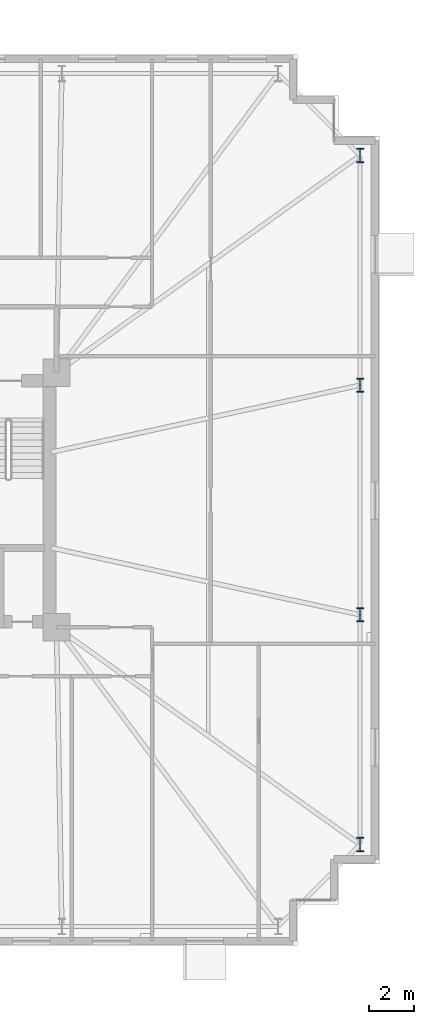
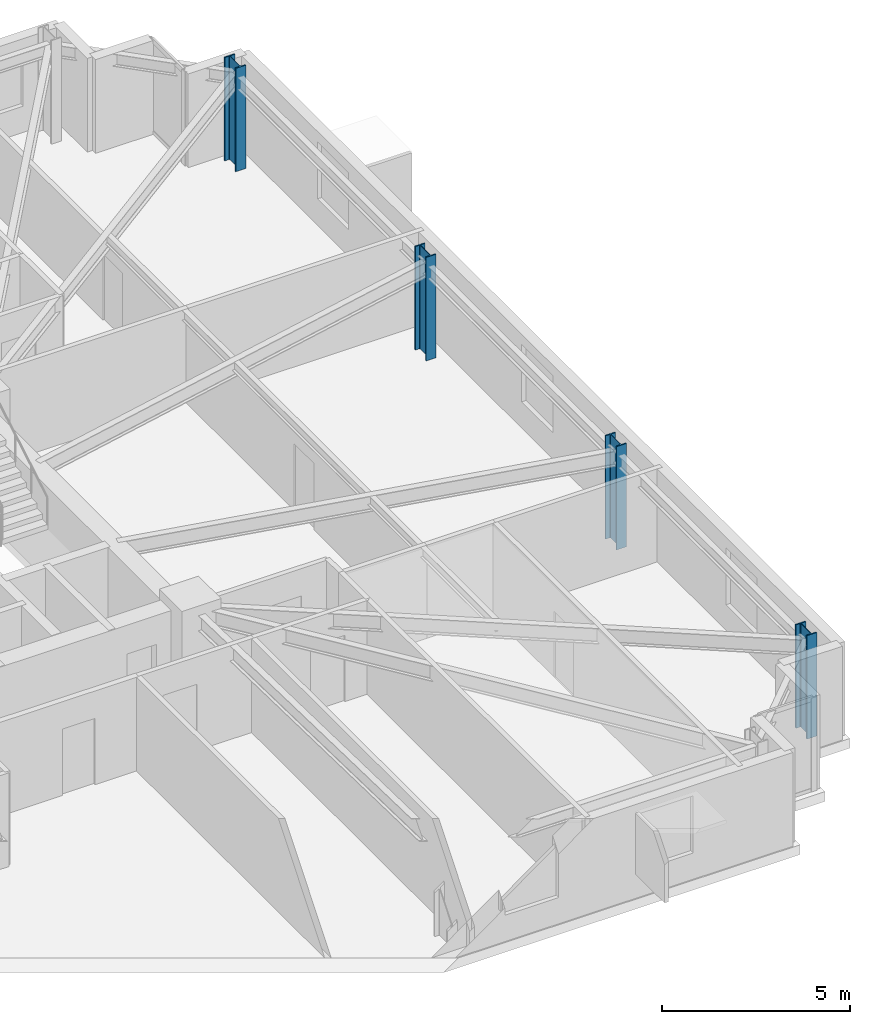
# One storey, part 3 of 21: 4 columns.
"""IFC4 building model written with IfcOpenShell, lengths in metres."""

from ifc_helpers import new_model, si_unit, direction, frame, origin, origin_2d, place, context, subcontext, project, spatial, i_section, extrude, material, material_profile, profile_set, type_object, element, save


model = new_model("IFC4")

# Units and contexts
model_context = context("Model", 3, precision=1e-05, world=origin(), true_north=direction((0.0, 1.0)))
body_context = subcontext(model_context, "Body", "Model", "MODEL_VIEW")
ifc_project = project(units=[si_unit("LENGTHUNIT", "METRE"), si_unit("AREAUNIT", "SQUARE_METRE"), si_unit("VOLUMEUNIT", "CUBIC_METRE"), si_unit("PLANEANGLEUNIT", "RADIAN"), si_unit("MASSUNIT", "GRAM", prefix="KILO")], contexts=[model_context])

# Site, building, storey
site_placement = place(None, origin())
site = spatial("IfcSite", under=ifc_project, at=site_placement, CompositionType="ELEMENT")
building_placement = place(site_placement, origin())
building = spatial("IfcBuilding", under=site, at=building_placement, Name="Qobustan Lattice House", CompositionType="ELEMENT")
storey_placement = place(building_placement, frame((0.0, 0.0, 40.39990234375)))
storey = spatial("IfcBuildingStorey", under=building, at=storey_placement, Name="L10", CompositionType="ELEMENT", Elevation=40.39990234375)

# Columns
ifc_material = material(Name="Steel S460", Category="steel")
ifc_material_profile = material_profile(ifc_material, i_section(OverallWidth=0.304931640625, OverallDepth=0.6201171875, WebThickness=0.02099609375, FlangeThickness=0.0400390625, FilletRadius=0.027099609375, at=origin_2d()), Name="HEM600")
ifc_profile_set = profile_set([ifc_material_profile], Name="Steel S460")
column_type = type_object("IfcColumnType", Name="COL-ST-HEM600", PredefinedType="COLUMN", material=ifc_profile_set)
for number, where, z_axis, x_axis, name in (
    (1, (32.14990234375, -15.14990234375, 0.0), (0.0, 0.0, 1.0), (1.0, 0.0, 0.0), "L10 B1 perimeter column E1"),
    (2, (32.14990234375, -5.050048828125, 0.0), (0.0, 0.0, 1.0), (1.0, 0.0, 0.0), "L10 B1 perimeter column E2"),
    (3, (32.14990234375, 5.050048828125, 0.0), (0.0, 0.0, 1.0), (1.0, 0.0, 0.0), "L10 B1 perimeter column E3"),
    (4, (32.14990234375, 15.14990234375, 0.0), (0.0, 0.0, 1.0), (1.0, 0.0, 0.0), "L10 B1 perimeter column E4"),
):
    element("IfcColumn", number, at=place(storey_placement, frame(where, z_axis=z_axis, x_axis=x_axis)), inside=storey, type_object=column_type, Name=name, PredefinedType="COLUMN", context=body_context, shape_type="SweptSolid", body=[
        extrude(i_section(OverallWidth=0.304931640625, OverallDepth=0.6201171875, WebThickness=0.02099609375, FlangeThickness=0.0400390625, FilletRadius=0.027099609375, at=origin_2d()), origin(), (0.0, 0.0, 1.0), 3.35009765625),
    ])

save(model, "model.ifc")
